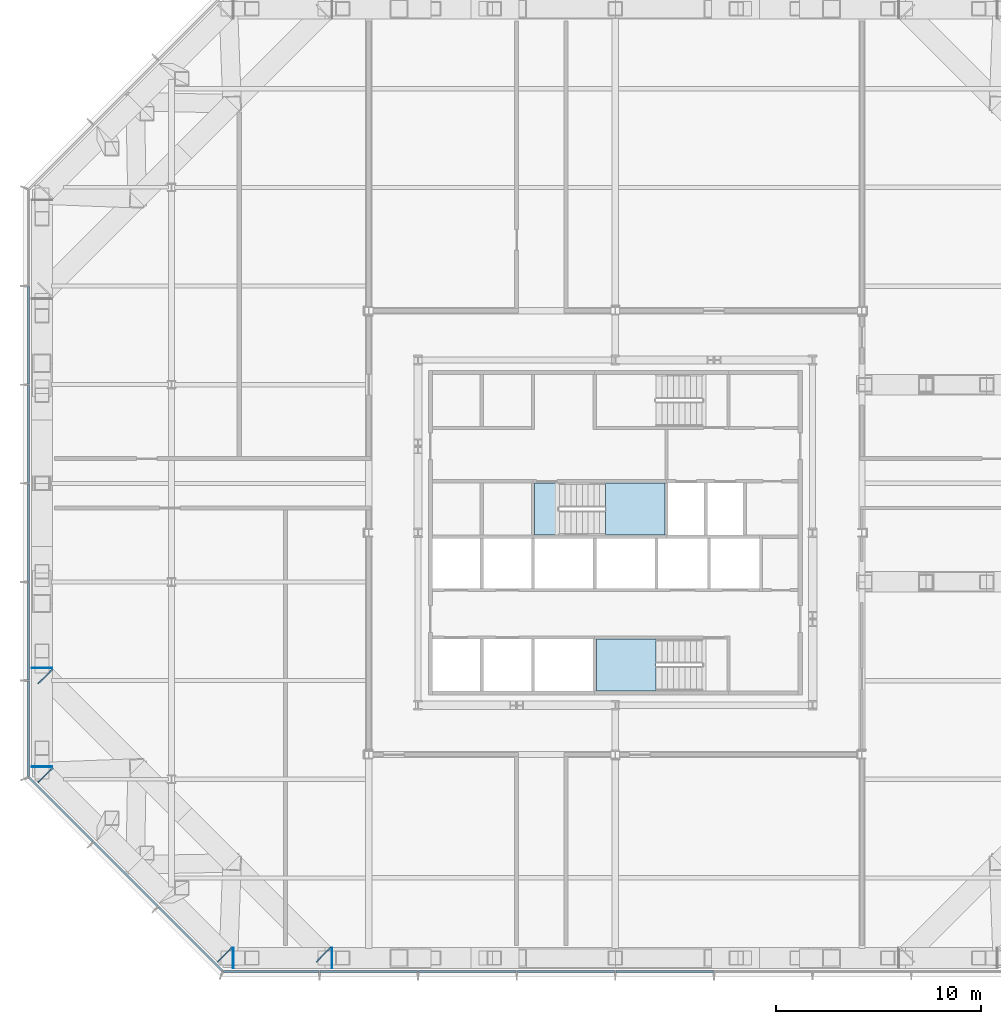
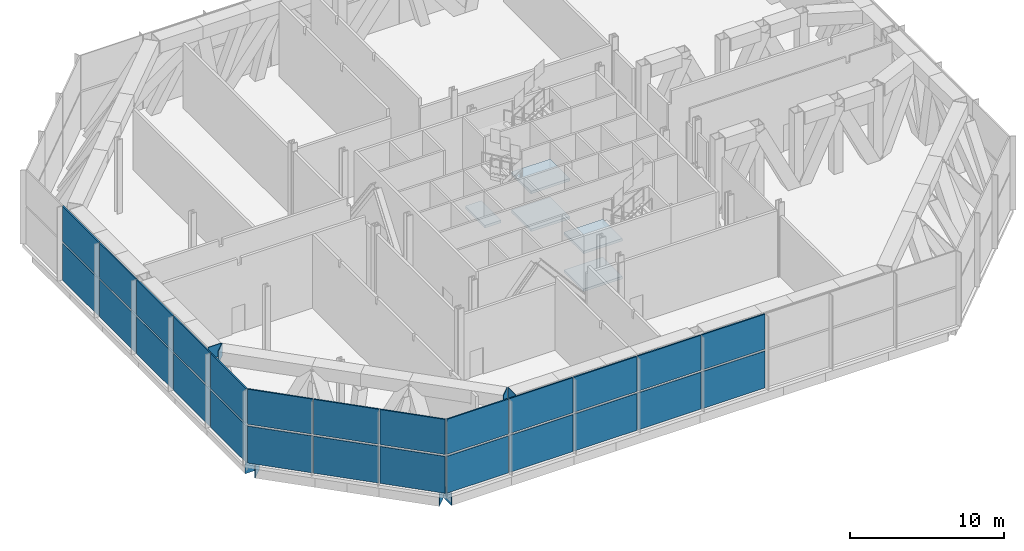
# One storey, part 9 of 17: 34 plates, 5 slabs, 5 elements without a shape of their own.
"""IFC4 building model written with IfcOpenShell, lengths in metres."""

from ifc_helpers import new_model, si_unit, direction, frame, origin, origin_2d, place, context, subcontext, project, spatial, polyline, rectangle, outline, extrude, material, layer, layer_set, material_profile, profile_set, type_object, element, aggregate, save


model = new_model("IFC4")

# Units and contexts
model_context = context("Model", 3, precision=1e-05, world=origin(), true_north=direction((0.0, 1.0)))
body_context = subcontext(model_context, "Body", "Model", "MODEL_VIEW")
ifc_project = project(units=[si_unit("LENGTHUNIT", "METRE"), si_unit("AREAUNIT", "SQUARE_METRE"), si_unit("VOLUMEUNIT", "CUBIC_METRE"), si_unit("PLANEANGLEUNIT", "RADIAN"), si_unit("MASSUNIT", "GRAM", prefix="KILO")], contexts=[model_context])

# Site, building, storey
site_placement = place(None, origin())
site = spatial("IfcSite", under=ifc_project, at=site_placement, CompositionType="ELEMENT")
building_placement = place(site_placement, origin())
building = spatial("IfcBuilding", under=site, at=building_placement, Name="Cairn Pilgrim Tower", CompositionType="ELEMENT")
storey_placement = place(building_placement, frame((0.0, 0.0, 119.39990234375)))
storey = spatial("IfcBuildingStorey", under=building, at=storey_placement, Name="L29", CompositionType="ELEMENT", Elevation=119.39990234375)

# Plates
ifc_material_1 = material(Name="Structural steel S460M", Category="steel")
ifc_material_profile = material_profile(ifc_material_1, rectangle(XDim=1.0, YDim=1.0, at=origin_2d()), Name="END PLATE BOX 1000x1000x60")
ifc_profile_set = profile_set([ifc_material_profile], Name="Structural steel S460M")
plate_type_1 = type_object("IfcPlateType", Name="END PLATE BOX 1000x1000x60", PredefinedType="SHEET", material=ifc_profile_set)
for number, where, z_axis, x_axis, name in (
    (1, (-11.3701171875, -18.300048828125, -0.75), (-1.0, 0.0, 0.0), (0.0, -1.0, 0.0), "EP-BT29-S-BC1-A"),
    (2, (-6.570068359375, -18.300048828125, 5.35009765625), (-1.0, 0.0, 0.0), (0.0, -1.0, 0.0), "EP-BT29-S-TC1-A"),
):
    element("IfcPlate", number, at=place(storey_placement, frame(where, z_axis=z_axis, x_axis=x_axis)), inside=storey, type_object=plate_type_1, Name=name, PredefinedType="SHEET", context=body_context, shape_type="SweptSolid", body=[
        extrude(rectangle(XDim=1.0, YDim=1.0, at=origin_2d()), origin(), (0.0, 0.0, 1.0), 0.0400390625),
    ])
plate_1_placement = place(storey_placement, frame((-20.699951171875, -8.97021484375, -0.75), z_axis=(0.0, -1.0, 0.0), x_axis=(1.0, 0.0, 0.0)))
element("IfcPlate", 3, at=plate_1_placement, inside=storey, type_object=plate_type_1, Name="EP-BT29-W-BC6-B", PredefinedType="SHEET", context=body_context, shape_type="SweptSolid", body=[
    extrude(rectangle(XDim=1.0, YDim=1.0, at=origin_2d()), origin(), (0.0, 0.0, 1.0), 0.039794921875),
])
plate_2_placement = place(storey_placement, frame((-20.699951171875, -4.170166015625, 5.35009765625), z_axis=(0.0, -1.0, 0.0), x_axis=(1.0, 0.0, 0.0)))
element("IfcPlate", 4, at=plate_2_placement, inside=storey, type_object=plate_type_1, Name="EP-BT29-W-TC6-B", PredefinedType="SHEET", context=body_context, shape_type="SweptSolid", body=[
    extrude(rectangle(XDim=1.0, YDim=1.0, at=origin_2d()), origin(), (0.0, 0.0, 1.0), 0.0400390625),
])
for number, where, z_axis, x_axis, name in (
    (5, (-20.518310546875, -9.408935546875, -0.75), (-0.704039115956, 0.710161195225, 0.0), (-0.710161195225, -0.704039115956, 0.0), "EP-BT29-SW-BC1-A"),
    (6, (-20.518310546875, -4.60888671875, 5.35009765625), (-0.707106781187, 0.707106781187, 0.0), (-0.707106781187, -0.707106781187, 0.0), "EP-BT29-SW-TC1-A"),
):
    element("IfcPlate", number, at=place(storey_placement, frame(where, z_axis=z_axis, x_axis=x_axis)), inside=storey, type_object=plate_type_1, Name=name, PredefinedType="SHEET", context=body_context, shape_type="SweptSolid", body=[
        extrude(rectangle(XDim=1.0, YDim=1.0, at=origin_2d()), origin(), (0.0, 0.0, 1.0), 0.039794921875),
    ])
for number, where, z_axis, x_axis, name in (
    (7, (-11.80908203125, -18.1181640625, -0.75), (0.707106781187, -0.707106781187, 0.0), (0.707106781187, 0.707106781187, 0.0), "EP-BT29-SW-BC4-B"),
    (8, (-7.009033203125, -18.1181640625, 5.35009765625), (0.707106781187, -0.707106781187, 0.0), (0.707106781187, 0.707106781187, 0.0), "EP-BT29-SW-TC4-B"),
):
    element("IfcPlate", number, at=place(storey_placement, frame(where, z_axis=z_axis, x_axis=x_axis)), inside=storey, type_object=plate_type_1, Name=name, PredefinedType="SHEET", context=body_context, shape_type="SweptSolid", body=[
        extrude(rectangle(XDim=1.0, YDim=1.0, at=origin_2d()), origin(), (0.0, 0.0, 1.0), 0.0400390625),
    ])

# Curtain wall, plates
ifc_material_2 = material(Name="Aluminium alloy 6063-T6 bronze anodised with Bronze tinted laminated low-E glass 8+16+8.8", Category="aluminium")
curtain_wall_type = type_object("IfcCurtainWallType", Name="PLANT LOUVRE CURTAIN WALL", PredefinedType="NOTDEFINED", material=ifc_material_2)
curtain_wall_1_placement = place(storey_placement, origin())
curtain_wall_1 = element("IfcCurtainWall", 9, at=curtain_wall_1_placement, inside=storey, type_object=curtain_wall_type, Name="Plant Louvre Curtain Wall SW", PredefinedType="NOTDEFINED")
ifc_material_3 = material(Name="Bronze anodised aluminium louvre blades", Category="aluminium")
ifc_layer_1 = layer(ifc_material_3, 0.10009765625)
ifc_layer_set_1 = layer_set([ifc_layer_1], Name="LOUVRE PANEL 4386x2775")
plate_type_2 = type_object("IfcPlateType", Name="LOUVRE PANEL 4386x2775", PredefinedType="CURTAIN_PANEL", material=ifc_layer_set_1)
plate_3_placement = place(storey_placement, frame((-19.770751953125, -11.07568359375, 3.0751953125), z_axis=(0.0, 0.0, 1.0), x_axis=(0.707106781187, -0.707106781187, 0.0)))
plate_3 = element("IfcPlate", 10, at=plate_3_placement, type_object=plate_type_2, Name="Louvre Panel SW1-2", PredefinedType="CURTAIN_PANEL", context=body_context, shape_type="SweptSolid", body=[
    extrude(rectangle(XDim=4.386474609375, YDim=0.10009765625, at=origin_2d()), origin(), (0.0, 0.0, 1.0), 2.77490234375),
])
plate_4_placement = place(storey_placement, frame((-13.4755859375, -17.370849609375, 3.0751953125), z_axis=(0.0, 0.0, 1.0), x_axis=(0.707106781187, -0.707106781187, 0.0)))
plate_4 = element("IfcPlate", 11, at=plate_4_placement, type_object=plate_type_2, Name="Louvre Panel SW3-2", PredefinedType="CURTAIN_PANEL", context=body_context, shape_type="SweptSolid", body=[
    extrude(rectangle(XDim=4.386474609375, YDim=0.10009765625, at=origin_2d()), origin(), (0.0, 0.0, 1.0), 2.77490234375),
])
ifc_layer_2 = layer(ifc_material_3, 0.10009765625)
ifc_layer_set_2 = layer_set([ifc_layer_2], Name="LOUVRE PANEL 4386x2925")
plate_type_3 = type_object("IfcPlateType", Name="LOUVRE PANEL 4386x2925", PredefinedType="CURTAIN_PANEL", material=ifc_layer_set_2)
plate_5_placement = place(storey_placement, frame((-19.770751953125, -11.07568359375, 0.0), z_axis=(0.0, 0.0, 1.0), x_axis=(0.707106781187, -0.707106781187, 0.0)))
plate_5 = element("IfcPlate", 12, at=plate_5_placement, type_object=plate_type_3, Name="Louvre Panel SW1-1", PredefinedType="CURTAIN_PANEL", context=body_context, shape_type="SweptSolid", body=[
    extrude(rectangle(XDim=4.386474609375, YDim=0.10009765625, at=origin_2d()), origin(), (0.0, 0.0, 1.0), 2.925048828125),
])
plate_6_placement = place(storey_placement, frame((-13.4755859375, -17.370849609375, 0.0), z_axis=(0.0, 0.0, 1.0), x_axis=(0.707106781187, -0.707106781187, 0.0)))
plate_6 = element("IfcPlate", 13, at=plate_6_placement, type_object=plate_type_3, Name="Louvre Panel SW3-1", PredefinedType="CURTAIN_PANEL", context=body_context, shape_type="SweptSolid", body=[
    extrude(rectangle(XDim=4.386474609375, YDim=0.10009765625, at=origin_2d()), origin(), (0.0, 0.0, 1.0), 2.925048828125),
])
ifc_layer_3 = layer(ifc_material_3, 0.10009765625)
ifc_layer_set_3 = layer_set([ifc_layer_3], Name="LOUVRE PANEL 4396x2775")
plate_type_4 = type_object("IfcPlateType", Name="LOUVRE PANEL 4396x2775", PredefinedType="CURTAIN_PANEL", material=ifc_layer_set_3)
plate_7_placement = place(storey_placement, frame((-16.623291015625, -14.22314453125, 3.0751953125), z_axis=(0.0, 0.0, 1.0), x_axis=(0.707106781187, -0.707106781187, 0.0)))
plate_7 = element("IfcPlate", 14, at=plate_7_placement, type_object=plate_type_4, Name="Louvre Panel SW2-2", PredefinedType="CURTAIN_PANEL", context=body_context, shape_type="SweptSolid", body=[
    extrude(rectangle(XDim=4.396484375, YDim=0.10009765625, at=origin_2d()), origin(), (0.0, 0.0, 1.0), 2.77490234375),
])
ifc_layer_4 = layer(ifc_material_3, 0.10009765625)
ifc_layer_set_4 = layer_set([ifc_layer_4], Name="LOUVRE PANEL 4396x2925")
plate_type_5 = type_object("IfcPlateType", Name="LOUVRE PANEL 4396x2925", PredefinedType="CURTAIN_PANEL", material=ifc_layer_set_4)
plate_8_placement = place(storey_placement, frame((-16.623291015625, -14.22314453125, 0.0), z_axis=(0.0, 0.0, 1.0), x_axis=(0.707106781187, -0.707106781187, 0.0)))
plate_8 = element("IfcPlate", 15, at=plate_8_placement, type_object=plate_type_5, Name="Louvre Panel SW2-1", PredefinedType="CURTAIN_PANEL", context=body_context, shape_type="SweptSolid", body=[
    extrude(rectangle(XDim=4.396484375, YDim=0.10009765625, at=origin_2d()), origin(), (0.0, 0.0, 1.0), 2.925048828125),
])
aggregate(curtain_wall_1, [plate_5, plate_3, plate_8, plate_7, plate_6, plate_4])

# Curtain wall, plate
curtain_wall_2_placement = place(storey_placement, origin())
curtain_wall_2 = element("IfcCurtainWall", 16, at=curtain_wall_2_placement, inside=storey, type_object=curtain_wall_type, Name="Plant Louvre Curtain Wall S", PredefinedType="NOTDEFINED")
ifc_layer_5 = layer(ifc_material_3, 0.10009765625)
ifc_layer_set_5 = layer_set([ifc_layer_5], Name="LOUVRE PANEL 4626x2775")
plate_type_6 = type_object("IfcPlateType", Name="LOUVRE PANEL 4626x2775", PredefinedType="CURTAIN_PANEL", material=ifc_layer_set_5)
plate_9_placement = place(storey_placement, frame((-9.543212890625, -18.949951171875, 3.0751953125), z_axis=(0.0, 0.0, 1.0), x_axis=(1.0, 0.0, 0.0)))
plate_9 = element("IfcPlate", 17, at=plate_9_placement, type_object=plate_type_6, Name="Louvre Panel S1-2", PredefinedType="CURTAIN_PANEL", context=body_context, shape_type="SweptSolid", body=[
    extrude(rectangle(XDim=4.62646484375, YDim=0.10009765625, at=origin_2d()), origin(), (0.0, 0.0, 1.0), 2.77490234375),
])

curtain_wall_3_placement = place(storey_placement, origin())
curtain_wall_3 = element("IfcCurtainWall", 18, at=curtain_wall_3_placement, inside=storey, type_object=curtain_wall_type, Name="Plant Louvre Curtain Wall W", PredefinedType="NOTDEFINED")
plate_10_placement = place(storey_placement, frame((-21.35009765625, -7.143310546875, 3.0751953125), z_axis=(0.0, 0.0, 1.0), x_axis=(0.0, -1.0, 0.0)))
plate_10 = element("IfcPlate", 19, at=plate_10_placement, type_object=plate_type_6, Name="Louvre Panel W6-2", PredefinedType="CURTAIN_PANEL", context=body_context, shape_type="SweptSolid", body=[
    extrude(rectangle(XDim=4.62646484375, YDim=0.10009765625, at=origin_2d()), origin(), (0.0, 0.0, 1.0), 2.77490234375),
])

# Plate
ifc_layer_6 = layer(ifc_material_3, 0.10009765625)
ifc_layer_set_6 = layer_set([ifc_layer_6], Name="LOUVRE PANEL 4626x2925")
plate_type_7 = type_object("IfcPlateType", Name="LOUVRE PANEL 4626x2925", PredefinedType="CURTAIN_PANEL", material=ifc_layer_set_6)
plate_11_placement = place(storey_placement, frame((-9.543212890625, -18.949951171875, 0.0), z_axis=(0.0, 0.0, 1.0), x_axis=(1.0, 0.0, 0.0)))
plate_11 = element("IfcPlate", 20, at=plate_11_placement, type_object=plate_type_7, Name="Louvre Panel S1-1", PredefinedType="CURTAIN_PANEL", context=body_context, shape_type="SweptSolid", body=[
    extrude(rectangle(XDim=4.62646484375, YDim=0.10009765625, at=origin_2d()), origin(), (0.0, 0.0, 1.0), 2.925048828125),
])

plate_12_placement = place(storey_placement, frame((-21.35009765625, -7.143310546875, 0.0), z_axis=(0.0, 0.0, 1.0), x_axis=(0.0, -1.0, 0.0)))
plate_12 = element("IfcPlate", 21, at=plate_12_placement, type_object=plate_type_7, Name="Louvre Panel W6-1", PredefinedType="CURTAIN_PANEL", context=body_context, shape_type="SweptSolid", body=[
    extrude(rectangle(XDim=4.62646484375, YDim=0.10009765625, at=origin_2d()), origin(), (0.0, 0.0, 1.0), 2.925048828125),
])

ifc_layer_7 = layer(ifc_material_3, 0.10009765625)
ifc_layer_set_7 = layer_set([ifc_layer_7], Name="LOUVRE PANEL 4740x2775")
plate_type_8 = type_object("IfcPlateType", Name="LOUVRE PANEL 4740x2775", PredefinedType="CURTAIN_PANEL", material=ifc_layer_set_7)
plate_13_placement = place(storey_placement, frame((-4.800048828125, -18.949951171875, 3.0751953125), z_axis=(0.0, 0.0, 1.0), x_axis=(1.0, 0.0, 0.0)))
plate_13 = element("IfcPlate", 22, at=plate_13_placement, type_object=plate_type_8, Name="Louvre Panel S2-2", PredefinedType="CURTAIN_PANEL", context=body_context, shape_type="SweptSolid", body=[
    extrude(rectangle(XDim=4.739990234375, YDim=0.10009765625, at=origin_2d()), origin(), (0.0, 0.0, 1.0), 2.77490234375),
])

plate_14_placement = place(storey_placement, frame((0.0, -18.949951171875, 3.0751953125), z_axis=(0.0, 0.0, 1.0), x_axis=(1.0, 0.0, 0.0)))
plate_14 = element("IfcPlate", 23, at=plate_14_placement, type_object=plate_type_8, Name="Louvre Panel S3-2", PredefinedType="CURTAIN_PANEL", context=body_context, shape_type="SweptSolid", body=[
    extrude(rectangle(XDim=4.739990234375, YDim=0.10009765625, at=origin_2d()), origin(), (0.0, 0.0, 1.0), 2.77490234375),
])

plate_15_placement = place(storey_placement, frame((4.800048828125, -18.949951171875, 3.0751953125), z_axis=(0.0, 0.0, 1.0), x_axis=(1.0, 0.0, 0.0)))
plate_15 = element("IfcPlate", 24, at=plate_15_placement, type_object=plate_type_8, Name="Louvre Panel S4-2", PredefinedType="CURTAIN_PANEL", context=body_context, shape_type="SweptSolid", body=[
    extrude(rectangle(XDim=4.739990234375, YDim=0.10009765625, at=origin_2d()), origin(), (0.0, 0.0, 1.0), 2.77490234375),
])

plate_16_placement = place(storey_placement, frame((9.60009765625, -18.949951171875, 3.0751953125), z_axis=(0.0, 0.0, 1.0), x_axis=(1.0, 0.0, 0.0)))
plate_16 = element("IfcPlate", 25, at=plate_16_placement, type_object=plate_type_8, Name="Louvre Panel S5-2", PredefinedType="CURTAIN_PANEL", context=body_context, shape_type="SweptSolid", body=[
    extrude(rectangle(XDim=4.739990234375, YDim=0.10009765625, at=origin_2d()), origin(), (0.0, 0.0, 1.0), 2.77490234375),
])

plate_17_placement = place(storey_placement, frame((-21.35009765625, 12.0, 3.0751953125), z_axis=(0.0, 0.0, 1.0), x_axis=(0.0, -1.0, 0.0)))
plate_17 = element("IfcPlate", 26, at=plate_17_placement, type_object=plate_type_8, Name="Louvre Panel W2-2", PredefinedType="CURTAIN_PANEL", context=body_context, shape_type="SweptSolid", body=[
    extrude(rectangle(XDim=4.739990234375, YDim=0.10009765625, at=origin_2d()), origin(), (0.0, 0.0, 1.0), 2.77490234375),
])

plate_18_placement = place(storey_placement, frame((-21.35009765625, 7.199951171875, 3.0751953125), z_axis=(0.0, 0.0, 1.0), x_axis=(0.0, -1.0, 0.0)))
plate_18 = element("IfcPlate", 27, at=plate_18_placement, type_object=plate_type_8, Name="Louvre Panel W3-2", PredefinedType="CURTAIN_PANEL", context=body_context, shape_type="SweptSolid", body=[
    extrude(rectangle(XDim=4.739990234375, YDim=0.10009765625, at=origin_2d()), origin(), (0.0, 0.0, 1.0), 2.77490234375),
])

plate_19_placement = place(storey_placement, frame((-21.35009765625, 2.39990234375, 3.0751953125), z_axis=(0.0, 0.0, 1.0), x_axis=(0.0, -1.0, 0.0)))
plate_19 = element("IfcPlate", 28, at=plate_19_placement, type_object=plate_type_8, Name="Louvre Panel W4-2", PredefinedType="CURTAIN_PANEL", context=body_context, shape_type="SweptSolid", body=[
    extrude(rectangle(XDim=4.739990234375, YDim=0.10009765625, at=origin_2d()), origin(), (0.0, 0.0, 1.0), 2.77490234375),
])

plate_20_placement = place(storey_placement, frame((-21.35009765625, -2.39990234375, 3.0751953125), z_axis=(0.0, 0.0, 1.0), x_axis=(0.0, -1.0, 0.0)))
plate_20 = element("IfcPlate", 29, at=plate_20_placement, type_object=plate_type_8, Name="Louvre Panel W5-2", PredefinedType="CURTAIN_PANEL", context=body_context, shape_type="SweptSolid", body=[
    extrude(rectangle(XDim=4.739990234375, YDim=0.10009765625, at=origin_2d()), origin(), (0.0, 0.0, 1.0), 2.77490234375),
])

ifc_layer_8 = layer(ifc_material_3, 0.10009765625)
ifc_layer_set_8 = layer_set([ifc_layer_8], Name="LOUVRE PANEL 4740x2925")
plate_type_9 = type_object("IfcPlateType", Name="LOUVRE PANEL 4740x2925", PredefinedType="CURTAIN_PANEL", material=ifc_layer_set_8)
plate_21_placement = place(storey_placement, frame((-4.800048828125, -18.949951171875, 0.0), z_axis=(0.0, 0.0, 1.0), x_axis=(1.0, 0.0, 0.0)))
plate_21 = element("IfcPlate", 30, at=plate_21_placement, type_object=plate_type_9, Name="Louvre Panel S2-1", PredefinedType="CURTAIN_PANEL", context=body_context, shape_type="SweptSolid", body=[
    extrude(rectangle(XDim=4.739990234375, YDim=0.10009765625, at=origin_2d()), origin(), (0.0, 0.0, 1.0), 2.925048828125),
])

plate_22_placement = place(storey_placement, frame((0.0, -18.949951171875, 0.0), z_axis=(0.0, 0.0, 1.0), x_axis=(1.0, 0.0, 0.0)))
plate_22 = element("IfcPlate", 31, at=plate_22_placement, type_object=plate_type_9, Name="Louvre Panel S3-1", PredefinedType="CURTAIN_PANEL", context=body_context, shape_type="SweptSolid", body=[
    extrude(rectangle(XDim=4.739990234375, YDim=0.10009765625, at=origin_2d()), origin(), (0.0, 0.0, 1.0), 2.925048828125),
])

plate_23_placement = place(storey_placement, frame((4.800048828125, -18.949951171875, 0.0), z_axis=(0.0, 0.0, 1.0), x_axis=(1.0, 0.0, 0.0)))
plate_23 = element("IfcPlate", 32, at=plate_23_placement, type_object=plate_type_9, Name="Louvre Panel S4-1", PredefinedType="CURTAIN_PANEL", context=body_context, shape_type="SweptSolid", body=[
    extrude(rectangle(XDim=4.739990234375, YDim=0.10009765625, at=origin_2d()), origin(), (0.0, 0.0, 1.0), 2.925048828125),
])

plate_24_placement = place(storey_placement, frame((9.60009765625, -18.949951171875, 0.0), z_axis=(0.0, 0.0, 1.0), x_axis=(1.0, 0.0, 0.0)))
plate_24 = element("IfcPlate", 33, at=plate_24_placement, type_object=plate_type_9, Name="Louvre Panel S5-1", PredefinedType="CURTAIN_PANEL", context=body_context, shape_type="SweptSolid", body=[
    extrude(rectangle(XDim=4.739990234375, YDim=0.10009765625, at=origin_2d()), origin(), (0.0, 0.0, 1.0), 2.925048828125),
])

aggregate(curtain_wall_2, [plate_11, plate_9, plate_21, plate_13, plate_22, plate_14, plate_23, plate_15, plate_24, plate_16])

plate_25_placement = place(storey_placement, frame((-21.35009765625, 12.0, 0.0), z_axis=(0.0, 0.0, 1.0), x_axis=(0.0, -1.0, 0.0)))
plate_25 = element("IfcPlate", 34, at=plate_25_placement, type_object=plate_type_9, Name="Louvre Panel W2-1", PredefinedType="CURTAIN_PANEL", context=body_context, shape_type="SweptSolid", body=[
    extrude(rectangle(XDim=4.739990234375, YDim=0.10009765625, at=origin_2d()), origin(), (0.0, 0.0, 1.0), 2.925048828125),
])

plate_26_placement = place(storey_placement, frame((-21.35009765625, 7.199951171875, 0.0), z_axis=(0.0, 0.0, 1.0), x_axis=(0.0, -1.0, 0.0)))
plate_26 = element("IfcPlate", 35, at=plate_26_placement, type_object=plate_type_9, Name="Louvre Panel W3-1", PredefinedType="CURTAIN_PANEL", context=body_context, shape_type="SweptSolid", body=[
    extrude(rectangle(XDim=4.739990234375, YDim=0.10009765625, at=origin_2d()), origin(), (0.0, 0.0, 1.0), 2.925048828125),
])

plate_27_placement = place(storey_placement, frame((-21.35009765625, 2.39990234375, 0.0), z_axis=(0.0, 0.0, 1.0), x_axis=(0.0, -1.0, 0.0)))
plate_27 = element("IfcPlate", 36, at=plate_27_placement, type_object=plate_type_9, Name="Louvre Panel W4-1", PredefinedType="CURTAIN_PANEL", context=body_context, shape_type="SweptSolid", body=[
    extrude(rectangle(XDim=4.739990234375, YDim=0.10009765625, at=origin_2d()), origin(), (0.0, 0.0, 1.0), 2.925048828125),
])

plate_28_placement = place(storey_placement, frame((-21.35009765625, -2.39990234375, 0.0), z_axis=(0.0, 0.0, 1.0), x_axis=(0.0, -1.0, 0.0)))
plate_28 = element("IfcPlate", 37, at=plate_28_placement, type_object=plate_type_9, Name="Louvre Panel W5-1", PredefinedType="CURTAIN_PANEL", context=body_context, shape_type="SweptSolid", body=[
    extrude(rectangle(XDim=4.739990234375, YDim=0.10009765625, at=origin_2d()), origin(), (0.0, 0.0, 1.0), 2.925048828125),
])

aggregate(curtain_wall_3, [plate_25, plate_17, plate_26, plate_18, plate_27, plate_19, plate_28, plate_20, plate_12, plate_10])

# Stair, slabs
ifc_material_4 = material(Name="Concrete C32/40", Category="concrete")
stair_type = type_object("IfcStairType", Name="EXIT STAIR 1200", PredefinedType="HALF_TURN_STAIR", material=ifc_material_4)
stair_1_placement = place(storey_placement, origin())
stair_1 = element("IfcStair", 38, at=stair_1_placement, inside=storey, type_object=stair_type, Name="L29 Exit Stair A", PredefinedType="HALF_TURN_STAIR")
ifc_layer_9 = layer(ifc_material_4, 0.199951171875)
ifc_layer_set_9 = layer_set([ifc_layer_9], Name="STAIR LANDING 200")
slab_type = type_object("IfcSlabType", Name="STAIR LANDING 200", PredefinedType="LANDING", material=ifc_layer_set_9)
slab_1_placement = place(storey_placement, frame((0.0, 0.0, 1.300048828125)))
slab_1 = element("IfcSlab", 39, at=slab_1_placement, type_object=slab_type, Name="ST-A landing 1", PredefinedType="LANDING", context=body_context, shape_type="SweptSolid", body=[
    extrude(outline(polyline([(9.18505859375, -2.77490234375), (6.27490234375, -2.77490234375), (6.27490234375, -5.300048828125), (9.18505859375, -5.300048828125), (9.18505859375, -2.77490234375)])), origin(), (0.0, 0.0, 1.0), 0.199951171875),
])
slab_2_placement = place(storey_placement, frame((0.0, 0.0, 4.300048828125)))
slab_2 = element("IfcSlab", 40, at=slab_2_placement, type_object=slab_type, Name="ST-A landing 3", PredefinedType="LANDING", context=body_context, shape_type="SweptSolid", body=[
    extrude(outline(polyline([(9.18505859375, -2.77490234375), (6.27490234375, -2.77490234375), (6.27490234375, -5.300048828125), (9.18505859375, -5.300048828125), (9.18505859375, -2.77490234375)])), origin(), (0.0, 0.0, 1.0), 0.199951171875),
])
aggregate(stair_1, [slab_1, slab_2])

stair_2_placement = place(storey_placement, origin())
stair_2 = element("IfcStair", 41, at=stair_2_placement, inside=storey, type_object=stair_type, Name="L29 Exit Stair B", PredefinedType="HALF_TURN_STAIR")
slab_3_placement = place(storey_placement, frame((0.0, 0.0, 1.300048828125)))
slab_3 = element("IfcSlab", 42, at=slab_3_placement, type_object=slab_type, Name="ST-B landing 1", PredefinedType="LANDING", context=body_context, shape_type="SweptSolid", body=[
    extrude(outline(polyline([(6.715087890625, 2.27490234375), (9.625, 2.27490234375), (9.625, 4.824951171875), (6.715087890625, 4.824951171875), (6.715087890625, 2.27490234375)])), origin(), (0.0, 0.0, 1.0), 0.199951171875),
])
slab_4_placement = place(storey_placement, frame((0.0, 0.0, 2.800048828125)))
slab_4 = element("IfcSlab", 43, at=slab_4_placement, type_object=slab_type, Name="ST-B landing 2", PredefinedType="LANDING", context=body_context, shape_type="SweptSolid", body=[
    extrude(outline(polyline([(3.27490234375, 2.27490234375), (4.47509765625, 2.27490234375), (4.47509765625, 4.824951171875), (3.27490234375, 4.824951171875), (3.27490234375, 2.27490234375)])), origin(), (0.0, 0.0, 1.0), 0.199951171875),
])
slab_5_placement = place(storey_placement, frame((0.0, 0.0, 4.300048828125)))
slab_5 = element("IfcSlab", 44, at=slab_5_placement, type_object=slab_type, Name="ST-B landing 3", PredefinedType="LANDING", context=body_context, shape_type="SweptSolid", body=[
    extrude(outline(polyline([(6.715087890625, 2.27490234375), (9.625, 2.27490234375), (9.625, 4.824951171875), (6.715087890625, 4.824951171875), (6.715087890625, 2.27490234375)])), origin(), (0.0, 0.0, 1.0), 0.199951171875),
])
aggregate(stair_2, [slab_3, slab_4, slab_5])

save(model, "model.ifc")
